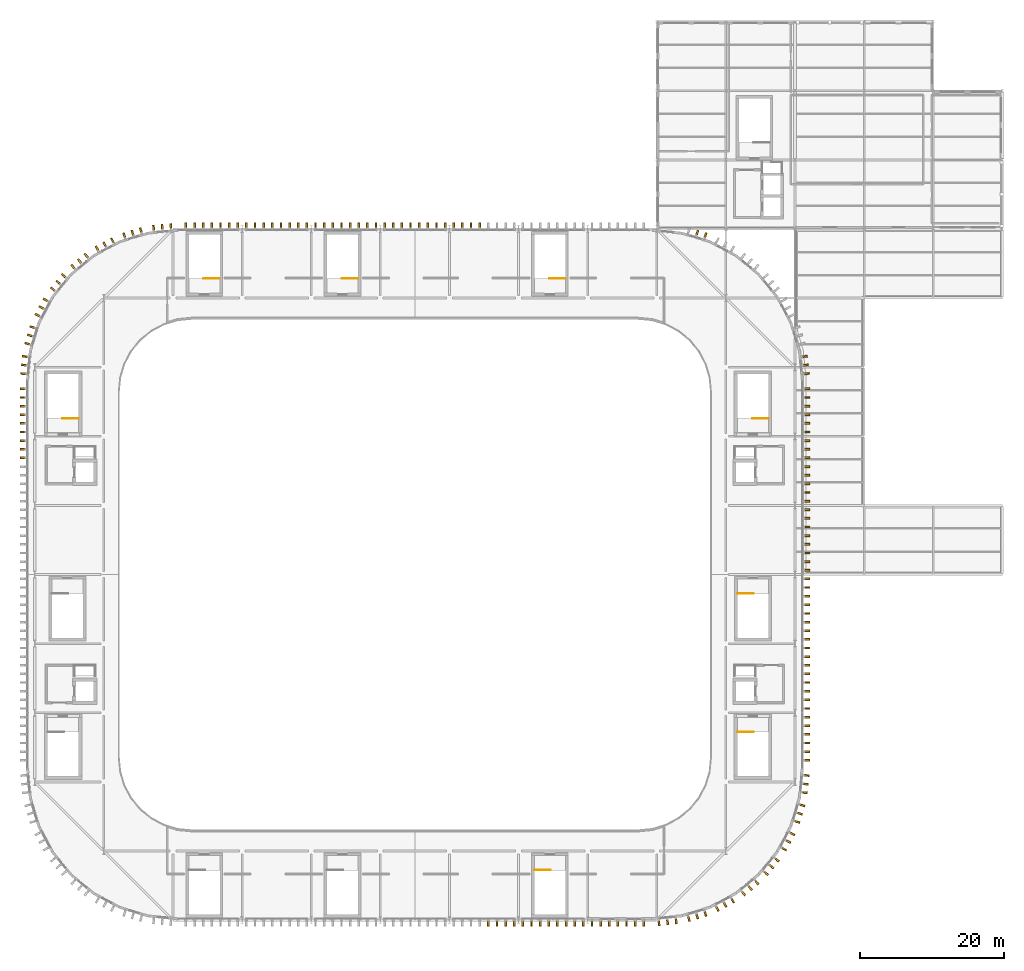
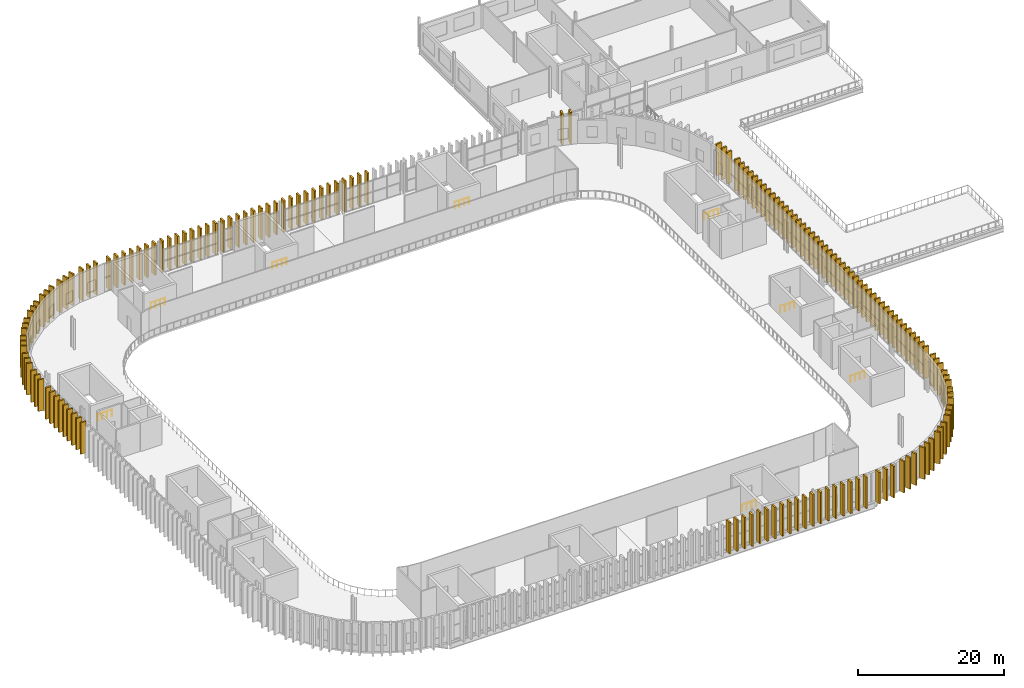
# One storey, part 43 of 45: 160 coverings, 8 railings.
"""IFC4 building model written with IfcOpenShell, lengths in metres."""

from ifc_helpers import new_model, si_unit, direction, frame, origin, origin_2d, place, context, subcontext, project, spatial, rectangle, circle, extrude, material, material_profile, profile_set, type_object, element, save


model = new_model("IFC4")

# Units and contexts
model_context = context("Model", 3, precision=1e-05, world=origin(), true_north=direction((0.0, 1.0)))
body_context = subcontext(model_context, "Body", "Model", "MODEL_VIEW")
ifc_project = project(units=[si_unit("LENGTHUNIT", "METRE"), si_unit("AREAUNIT", "SQUARE_METRE"), si_unit("VOLUMEUNIT", "CUBIC_METRE"), si_unit("PLANEANGLEUNIT", "RADIAN"), si_unit("MASSUNIT", "GRAM", prefix="KILO")], contexts=[model_context])

# Site, building, storey
site_placement = place(None, origin())
site = spatial("IfcSite", under=ifc_project, at=site_placement, CompositionType="ELEMENT")
building_placement = place(site_placement, origin())
building = spatial("IfcBuilding", under=site, at=building_placement, Name="Caelomonte Colonnade Arena", CompositionType="ELEMENT")
storey_placement = place(building_placement, frame((0.0, 0.0, 23.10009765625)))
storey = spatial("IfcBuildingStorey", under=building, at=storey_placement, Name="L05", CompositionType="ELEMENT", Elevation=23.10009765625)

# Coverings
ifc_material_1 = material(Name="Precast travertine cladding", Category="masonry")
ifc_material_profile = material_profile(ifc_material_1, rectangle(XDim=0.260009765625, YDim=0.85009765625, at=origin_2d()), Name="FIN260X850")
ifc_profile_set = profile_set([ifc_material_profile], Name="Precast travertine cladding")
covering_type = type_object("IfcCoveringType", Name="ENV-FN-SHAFT", PredefinedType="CLADDING", material=ifc_profile_set)
for number, where, z_axis, x_axis, name in (
    (1, (144.29541015625, 18.865234375, -0.16015625), (0.0, 0.0, 1.0), (-0.995184897743, -0.098015403404, 0.0), "V1 L05 classical travertine vertical fin 1"),
    (2, (145.48974609375, 18.98291015625, -0.16015625), (0.0, 0.0, 1.0), (-0.995184897743, -0.098015403404, 0.0), "V1 L05 classical travertine vertical fin 2"),
    (3, (146.683837890625, 19.100341796875, -0.16015625), (0.0, 0.0, 1.0), (-0.995184897743, -0.098015403404, 0.0), "V1 L05 classical travertine vertical fin 3"),
    (4, (148.4404296875, 19.44970703125, -0.16015625), (0.0, 0.0, 1.0), (-0.956942868907, -0.290276326364, 0.0), "V1 L05 classical travertine vertical fin 4"),
    (5, (149.5888671875, 19.798095703125, -0.16015625), (0.0, 0.0, 1.0), (-0.956942868907, -0.290276326364, 0.0), "V1 L05 classical travertine vertical fin 5"),
    (6, (150.7373046875, 20.146484375, -0.16015625), (0.0, 0.0, 1.0), (-0.956942868907, -0.290276326364, 0.0), "V1 L05 classical travertine vertical fin 6"),
    (7, (152.391845703125, 20.831787109375, -0.16015625), (0.0, 0.0, 1.0), (-0.881921264348, -0.471396736826, 0.0), "V1 L05 classical travertine vertical fin 7"),
    (8, (153.4501953125, 21.3974609375, -0.16015625), (0.0, 0.0, 1.0), (-0.881921264348, -0.471396736826, 0.0), "V1 L05 classical travertine vertical fin 8"),
    (9, (154.508544921875, 21.963134765625, -0.16015625), (0.0, 0.0, 1.0), (-0.881921264348, -0.471396736826, 0.0), "V1 L05 classical travertine vertical fin 9"),
    (10, (155.99755859375, 22.958251953125, -0.16015625), (0.0, 0.0, 1.0), (-0.77299384472, -0.634413521313, 0.0), "V1 L05 classical travertine vertical fin 10"),
    (11, (156.92529296875, 23.719482421875, -0.16015625), (0.0, 0.0, 1.0), (-0.77299384472, -0.634413521313, 0.0), "V1 L05 classical travertine vertical fin 11"),
    (12, (157.852783203125, 24.480712890625, -0.16015625), (0.0, 0.0, 1.0), (-0.77299384472, -0.634413521313, 0.0), "V1 L05 classical travertine vertical fin 12"),
    (13, (159.119140625, 25.747314453125, -0.16015625), (0.0, 0.0, 1.0), (-0.634413521313, -0.77299384472, 0.0), "V1 L05 classical travertine vertical fin 13"),
    (14, (159.880615234375, 26.6748046875, -0.16015625), (0.0, 0.0, 1.0), (-0.634413521313, -0.77299384472, 0.0), "V1 L05 classical travertine vertical fin 14"),
    (15, (160.641845703125, 27.602294921875, -0.16015625), (0.0, 0.0, 1.0), (-0.634413521313, -0.77299384472, 0.0), "V1 L05 classical travertine vertical fin 15"),
    (16, (161.63671875, 29.091552734375, -0.16015625), (0.0, 0.0, 1.0), (-0.471396736826, -0.881921264348, 0.0), "V1 L05 classical travertine vertical fin 16"),
    (17, (162.202392578125, 30.14990234375, -0.16015625), (0.0, 0.0, 1.0), (-0.471396736826, -0.881921264348, 0.0), "V1 L05 classical travertine vertical fin 17"),
    (18, (162.768310546875, 31.2080078125, -0.16015625), (0.0, 0.0, 1.0), (-0.471396736826, -0.881921264348, 0.0), "V1 L05 classical travertine vertical fin 18"),
    (19, (163.45361328125, 32.86279296875, -0.16015625), (0.0, 0.0, 1.0), (-0.290276326364, -0.956942868907, 0.0), "V1 L05 classical travertine vertical fin 19"),
    (20, (163.802001953125, 34.010986328125, -0.16015625), (0.0, 0.0, 1.0), (-0.290276326364, -0.956942868907, 0.0), "V1 L05 classical travertine vertical fin 20"),
    (21, (164.150146484375, 35.159423828125, -0.16015625), (0.0, 0.0, 1.0), (-0.290276326364, -0.956942868907, 0.0), "V1 L05 classical travertine vertical fin 21"),
    (22, (164.49951171875, 36.916015625, -0.16015625), (0.0, 0.0, 1.0), (-0.098015403404, -0.995184897743, 0.0), "V1 L05 classical travertine vertical fin 22"),
    (23, (164.6171875, 38.1103515625, -0.16015625), (0.0, 0.0, 1.0), (-0.098015403404, -0.995184897743, 0.0), "V1 L05 classical travertine vertical fin 23"),
    (24, (164.73486328125, 39.304443359375, -0.16015625), (0.0, 0.0, 1.0), (-0.098015403404, -0.995184897743, 0.0), "V1 L05 classical travertine vertical fin 24"),
    (25, (164.821044921875, 41.39990234375, -0.16015625), (0.0, 0.0, 1.0), (0.0, -1.0, 0.0), "V1 L05 classical travertine vertical fin 25"),
    (26, (164.821044921875, 42.60009765625, -0.16015625), (0.0, 0.0, 1.0), (0.0, -1.0, 0.0), "V1 L05 classical travertine vertical fin 26"),
    (27, (164.821044921875, 43.800048828125, -0.16015625), (0.0, 0.0, 1.0), (0.0, -1.0, 0.0), "V1 L05 classical travertine vertical fin 27"),
    (28, (164.821044921875, 45.0, -0.16015625), (0.0, 0.0, 1.0), (0.0, -1.0, 0.0), "V1 L05 classical travertine vertical fin 28"),
    (29, (164.821044921875, 46.199951171875, -0.16015625), (0.0, 0.0, 1.0), (0.0, -1.0, 0.0), "V1 L05 classical travertine vertical fin 29"),
    (30, (164.821044921875, 47.39990234375, -0.16015625), (0.0, 0.0, 1.0), (0.0, -1.0, 0.0), "V1 L05 classical travertine vertical fin 30"),
    (31, (164.821044921875, 48.60009765625, -0.16015625), (0.0, 0.0, 1.0), (0.0, -1.0, 0.0), "V1 L05 classical travertine vertical fin 31"),
    (32, (164.821044921875, 49.800048828125, -0.16015625), (0.0, 0.0, 1.0), (0.0, -1.0, 0.0), "V1 L05 classical travertine vertical fin 32"),
    (33, (164.821044921875, 51.0, -0.16015625), (0.0, 0.0, 1.0), (0.0, -1.0, 0.0), "V1 L05 classical travertine vertical fin 33"),
    (34, (164.821044921875, 52.199951171875, -0.16015625), (0.0, 0.0, 1.0), (0.0, -1.0, 0.0), "V1 L05 classical travertine vertical fin 34"),
    (35, (164.821044921875, 53.39990234375, -0.16015625), (0.0, 0.0, 1.0), (0.0, -1.0, 0.0), "V1 L05 classical travertine vertical fin 35"),
    (36, (164.821044921875, 54.60009765625, -0.16015625), (0.0, 0.0, 1.0), (0.0, -1.0, 0.0), "V1 L05 classical travertine vertical fin 36"),
    (37, (164.821044921875, 55.800048828125, -0.16015625), (0.0, 0.0, 1.0), (0.0, -1.0, 0.0), "V1 L05 classical travertine vertical fin 37"),
    (38, (164.821044921875, 57.0, -0.16015625), (0.0, 0.0, 1.0), (0.0, -1.0, 0.0), "V1 L05 classical travertine vertical fin 38"),
    (39, (164.821044921875, 58.199951171875, -0.16015625), (0.0, 0.0, 1.0), (0.0, -1.0, 0.0), "V1 L05 classical travertine vertical fin 39"),
    (40, (164.821044921875, 59.39990234375, -0.16015625), (0.0, 0.0, 1.0), (0.0, -1.0, 0.0), "V1 L05 classical travertine vertical fin 40"),
    (41, (164.821044921875, 60.60009765625, -0.16015625), (0.0, 0.0, 1.0), (0.0, -1.0, 0.0), "V1 L05 classical travertine vertical fin 41"),
    (42, (164.821044921875, 61.800048828125, -0.16015625), (0.0, 0.0, 1.0), (0.0, -1.0, 0.0), "V1 L05 classical travertine vertical fin 42"),
    (43, (164.821044921875, 63.0, -0.16015625), (0.0, 0.0, 1.0), (0.0, -1.0, 0.0), "V1 L05 classical travertine vertical fin 43"),
    (44, (164.821044921875, 64.199951171875, -0.16015625), (0.0, 0.0, 1.0), (0.0, -1.0, 0.0), "V1 L05 classical travertine vertical fin 44"),
    (45, (164.821044921875, 65.39990234375, -0.16015625), (0.0, 0.0, 1.0), (0.0, -1.0, 0.0), "V1 L05 classical travertine vertical fin 45"),
    (46, (164.821044921875, 66.60009765625, -0.16015625), (0.0, 0.0, 1.0), (0.0, -1.0, 0.0), "V1 L05 classical travertine vertical fin 46"),
    (47, (164.821044921875, 67.800048828125, -0.16015625), (0.0, 0.0, 1.0), (0.0, -1.0, 0.0), "V1 L05 classical travertine vertical fin 47"),
    (48, (164.821044921875, 69.0, -0.16015625), (0.0, 0.0, 1.0), (0.0, -1.0, 0.0), "V1 L05 classical travertine vertical fin 48"),
    (49, (164.821044921875, 70.199951171875, -0.16015625), (0.0, 0.0, 1.0), (0.0, -1.0, 0.0), "V1 L05 classical travertine vertical fin 49"),
    (50, (164.821044921875, 71.39990234375, -0.16015625), (0.0, 0.0, 1.0), (0.0, -1.0, 0.0), "V1 L05 classical travertine vertical fin 50"),
    (51, (164.821044921875, 72.60009765625, -0.16015625), (0.0, 0.0, 1.0), (0.0, -1.0, 0.0), "V1 L05 classical travertine vertical fin 51"),
    (52, (164.821044921875, 73.800048828125, -0.16015625), (0.0, 0.0, 1.0), (0.0, -1.0, 0.0), "V1 L05 classical travertine vertical fin 52"),
    (53, (164.821044921875, 75.0, -0.16015625), (0.0, 0.0, 1.0), (0.0, -1.0, 0.0), "V1 L05 classical travertine vertical fin 53"),
    (54, (164.821044921875, 76.199951171875, -0.16015625), (0.0, 0.0, 1.0), (0.0, -1.0, 0.0), "V1 L05 classical travertine vertical fin 54"),
    (55, (164.821044921875, 77.39990234375, -0.16015625), (0.0, 0.0, 1.0), (0.0, -1.0, 0.0), "V1 L05 classical travertine vertical fin 55"),
    (56, (164.821044921875, 78.60009765625, -0.16015625), (0.0, 0.0, 1.0), (0.0, -1.0, 0.0), "V1 L05 classical travertine vertical fin 56"),
    (57, (164.821044921875, 79.800048828125, -0.16015625), (0.0, 0.0, 1.0), (0.0, -1.0, 0.0), "V1 L05 classical travertine vertical fin 57"),
    (58, (164.821044921875, 81.0, -0.16015625), (0.0, 0.0, 1.0), (0.0, -1.0, 0.0), "V1 L05 classical travertine vertical fin 58"),
    (59, (164.821044921875, 82.199951171875, -0.16015625), (0.0, 0.0, 1.0), (0.0, -1.0, 0.0), "V1 L05 classical travertine vertical fin 59"),
    (60, (164.821044921875, 83.39990234375, -0.16015625), (0.0, 0.0, 1.0), (0.0, -1.0, 0.0), "V1 L05 classical travertine vertical fin 60"),
    (61, (164.821044921875, 84.60009765625, -0.16015625), (0.0, 0.0, 1.0), (0.0, -1.0, 0.0), "V1 L05 classical travertine vertical fin 61"),
    (62, (164.821044921875, 85.800048828125, -0.16015625), (0.0, 0.0, 1.0), (0.0, -1.0, 0.0), "V1 L05 classical travertine vertical fin 62"),
    (63, (164.821044921875, 87.0, -0.16015625), (0.0, 0.0, 1.0), (0.0, -1.0, 0.0), "V1 L05 classical travertine vertical fin 63"),
    (64, (164.821044921875, 88.199951171875, -0.16015625), (0.0, 0.0, 1.0), (0.0, -1.0, 0.0), "V1 L05 classical travertine vertical fin 64"),
    (65, (164.821044921875, 89.39990234375, -0.16015625), (0.0, 0.0, 1.0), (0.0, -1.0, 0.0), "V1 L05 classical travertine vertical fin 65"),
    (66, (164.821044921875, 90.60009765625, -0.16015625), (0.0, 0.0, 1.0), (0.0, -1.0, 0.0), "V1 L05 classical travertine vertical fin 66"),
    (67, (164.821044921875, 91.800048828125, -0.16015625), (0.0, 0.0, 1.0), (0.0, -1.0, 0.0), "V1 L05 classical travertine vertical fin 67"),
    (68, (164.821044921875, 93.0, -0.16015625), (0.0, 0.0, 1.0), (0.0, -1.0, 0.0), "V1 L05 classical travertine vertical fin 68"),
    (69, (164.73486328125, 95.095458984375, -0.16015625), (0.0, 0.0, 1.0), (0.098015403404, -0.995184897743, 0.0), "V1 L05 classical travertine vertical fin 69"),
    (70, (164.6171875, 96.289794921875, -0.16015625), (0.0, 0.0, 1.0), (0.098015403404, -0.995184897743, 0.0), "V1 L05 classical travertine vertical fin 70"),
    (71, (164.49951171875, 97.48388671875, -0.16015625), (0.0, 0.0, 1.0), (0.098015403404, -0.995184897743, 0.0), "V1 L05 classical travertine vertical fin 71"),
    (72, (150.7373046875, 114.25341796875, -0.16015625), (0.0, 0.0, 1.0), (0.956942868907, -0.290276326364, 0.0), "V1 L05 classical travertine vertical fin 87"),
    (73, (149.5888671875, 114.601806640625, -0.16015625), (0.0, 0.0, 1.0), (0.956942868907, -0.290276326364, 0.0), "V1 L05 classical travertine vertical fin 88"),
    (74, (119.39990234375, 115.62109375, -0.16015625), (0.0, 0.0, 1.0), (1.0, 0.0, 0.0), "V1 L05 classical travertine vertical fin 112"),
    (75, (118.199951171875, 115.62109375, -0.16015625), (0.0, 0.0, 1.0), (1.0, 0.0, 0.0), "V1 L05 classical travertine vertical fin 113"),
    (76, (117.0, 115.62109375, -0.16015625), (0.0, 0.0, 1.0), (1.0, 0.0, 0.0), "V1 L05 classical travertine vertical fin 114"),
    (77, (115.800048828125, 115.62109375, -0.16015625), (0.0, 0.0, 1.0), (1.0, 0.0, 0.0), "V1 L05 classical travertine vertical fin 115"),
    (78, (114.60009765625, 115.62109375, -0.16015625), (0.0, 0.0, 1.0), (1.0, 0.0, 0.0), "V1 L05 classical travertine vertical fin 116"),
    (79, (113.39990234375, 115.62109375, -0.16015625), (0.0, 0.0, 1.0), (1.0, 0.0, 0.0), "V1 L05 classical travertine vertical fin 117"),
    (80, (112.199951171875, 115.62109375, -0.16015625), (0.0, 0.0, 1.0), (1.0, 0.0, 0.0), "V1 L05 classical travertine vertical fin 118"),
    (81, (111.0, 115.62109375, -0.16015625), (0.0, 0.0, 1.0), (1.0, 0.0, 0.0), "V1 L05 classical travertine vertical fin 119"),
    (82, (109.800048828125, 115.62109375, -0.16015625), (0.0, 0.0, 1.0), (1.0, 0.0, 0.0), "V1 L05 classical travertine vertical fin 120"),
    (83, (108.60009765625, 115.62109375, -0.16015625), (0.0, 0.0, 1.0), (1.0, 0.0, 0.0), "V1 L05 classical travertine vertical fin 121"),
    (84, (107.39990234375, 115.62109375, -0.16015625), (0.0, 0.0, 1.0), (1.0, 0.0, 0.0), "V1 L05 classical travertine vertical fin 122"),
    (85, (106.199951171875, 115.62109375, -0.16015625), (0.0, 0.0, 1.0), (1.0, 0.0, 0.0), "V1 L05 classical travertine vertical fin 123"),
    (86, (105.0, 115.62109375, -0.16015625), (0.0, 0.0, 1.0), (1.0, 0.0, 0.0), "V1 L05 classical travertine vertical fin 124"),
    (87, (103.800048828125, 115.62109375, -0.16015625), (0.0, 0.0, 1.0), (1.0, 0.0, 0.0), "V1 L05 classical travertine vertical fin 125"),
    (88, (102.60009765625, 115.62109375, -0.16015625), (0.0, 0.0, 1.0), (1.0, 0.0, 0.0), "V1 L05 classical travertine vertical fin 126"),
    (89, (101.39990234375, 115.62109375, -0.16015625), (0.0, 0.0, 1.0), (1.0, 0.0, 0.0), "V1 L05 classical travertine vertical fin 127"),
    (90, (100.199951171875, 115.62109375, -0.16015625), (0.0, 0.0, 1.0), (1.0, 0.0, 0.0), "V1 L05 classical travertine vertical fin 128"),
    (91, (99.0, 115.62109375, -0.16015625), (0.0, 0.0, 1.0), (1.0, 0.0, 0.0), "V1 L05 classical travertine vertical fin 129"),
    (92, (97.800048828125, 115.62109375, -0.16015625), (0.0, 0.0, 1.0), (1.0, 0.0, 0.0), "V1 L05 classical travertine vertical fin 130"),
    (93, (96.60009765625, 115.62109375, -0.16015625), (0.0, 0.0, 1.0), (1.0, 0.0, 0.0), "V1 L05 classical travertine vertical fin 131"),
    (94, (95.39990234375, 115.62109375, -0.16015625), (0.0, 0.0, 1.0), (1.0, 0.0, 0.0), "V1 L05 classical travertine vertical fin 132"),
    (95, (94.199951171875, 115.62109375, -0.16015625), (0.0, 0.0, 1.0), (1.0, 0.0, 0.0), "V1 L05 classical travertine vertical fin 133"),
    (96, (93.0, 115.62109375, -0.16015625), (0.0, 0.0, 1.0), (1.0, 0.0, 0.0), "V1 L05 classical travertine vertical fin 134"),
    (97, (91.800048828125, 115.62109375, -0.16015625), (0.0, 0.0, 1.0), (1.0, 0.0, 0.0), "V1 L05 classical travertine vertical fin 135"),
    (98, (90.60009765625, 115.62109375, -0.16015625), (0.0, 0.0, 1.0), (1.0, 0.0, 0.0), "V1 L05 classical travertine vertical fin 136"),
    (99, (89.39990234375, 115.62109375, -0.16015625), (0.0, 0.0, 1.0), (1.0, 0.0, 0.0), "V1 L05 classical travertine vertical fin 137"),
    (100, (88.199951171875, 115.62109375, -0.16015625), (0.0, 0.0, 1.0), (1.0, 0.0, 0.0), "V1 L05 classical travertine vertical fin 138"),
    (101, (87.0, 115.62109375, -0.16015625), (0.0, 0.0, 1.0), (1.0, 0.0, 0.0), "V1 L05 classical travertine vertical fin 139"),
    (102, (85.800048828125, 115.62109375, -0.16015625), (0.0, 0.0, 1.0), (1.0, 0.0, 0.0), "V1 L05 classical travertine vertical fin 140"),
    (103, (84.60009765625, 115.62109375, -0.16015625), (0.0, 0.0, 1.0), (1.0, 0.0, 0.0), "V1 L05 classical travertine vertical fin 141"),
    (104, (83.39990234375, 115.62109375, -0.16015625), (0.0, 0.0, 1.0), (1.0, 0.0, 0.0), "V1 L05 classical travertine vertical fin 142"),
    (105, (82.199951171875, 115.62109375, -0.16015625), (0.0, 0.0, 1.0), (1.0, 0.0, 0.0), "V1 L05 classical travertine vertical fin 143"),
    (106, (81.0, 115.62109375, -0.16015625), (0.0, 0.0, 1.0), (1.0, 0.0, 0.0), "V1 L05 classical travertine vertical fin 144"),
    (107, (79.800048828125, 115.62109375, -0.16015625), (0.0, 0.0, 1.0), (1.0, 0.0, 0.0), "V1 L05 classical travertine vertical fin 145"),
    (108, (78.60009765625, 115.62109375, -0.16015625), (0.0, 0.0, 1.0), (1.0, 0.0, 0.0), "V1 L05 classical travertine vertical fin 146"),
    (109, (76.50439453125, 115.534912109375, -0.16015625), (0.0, 0.0, 1.0), (0.995184897743, 0.098015403404, 0.0), "V1 L05 classical travertine vertical fin 147"),
    (110, (75.310302734375, 115.417236328125, -0.16015625), (0.0, 0.0, 1.0), (0.995184897743, 0.098015403404, 0.0), "V1 L05 classical travertine vertical fin 148"),
    (111, (74.1162109375, 115.299560546875, -0.16015625), (0.0, 0.0, 1.0), (0.995184897743, 0.098015403404, 0.0), "V1 L05 classical travertine vertical fin 149"),
    (112, (72.359619140625, 114.9501953125, -0.16015625), (0.0, 0.0, 1.0), (0.956942868907, 0.290276326364, 0.0), "V1 L05 classical travertine vertical fin 150"),
    (113, (71.211181640625, 114.601806640625, -0.16015625), (0.0, 0.0, 1.0), (0.956942868907, 0.290276326364, 0.0), "V1 L05 classical travertine vertical fin 151"),
    (114, (70.062744140625, 114.25341796875, -0.16015625), (0.0, 0.0, 1.0), (0.956942868907, 0.290276326364, 0.0), "V1 L05 classical travertine vertical fin 152"),
    (115, (68.408203125, 113.568115234375, -0.16015625), (0.0, 0.0, 1.0), (0.881921264348, 0.471396736826, 0.0), "V1 L05 classical travertine vertical fin 153"),
    (116, (67.349853515625, 113.00244140625, -0.16015625), (0.0, 0.0, 1.0), (0.881921264348, 0.471396736826, 0.0), "V1 L05 classical travertine vertical fin 154"),
    (117, (66.29150390625, 112.436767578125, -0.16015625), (0.0, 0.0, 1.0), (0.881921264348, 0.471396736826, 0.0), "V1 L05 classical travertine vertical fin 155"),
    (118, (64.802490234375, 111.44189453125, -0.16015625), (0.0, 0.0, 1.0), (0.77299384472, 0.634413521313, 0.0), "V1 L05 classical travertine vertical fin 156"),
    (119, (63.874755859375, 110.680419921875, -0.16015625), (0.0, 0.0, 1.0), (0.77299384472, 0.634413521313, 0.0), "V1 L05 classical travertine vertical fin 157"),
    (120, (62.947265625, 109.919189453125, -0.16015625), (0.0, 0.0, 1.0), (0.77299384472, 0.634413521313, 0.0), "V1 L05 classical travertine vertical fin 158"),
    (121, (61.680908203125, 108.65283203125, -0.16015625), (0.0, 0.0, 1.0), (0.634413521313, 0.77299384472, 0.0), "V1 L05 classical travertine vertical fin 159"),
    (122, (60.91943359375, 107.72509765625, -0.16015625), (0.0, 0.0, 1.0), (0.634413521313, 0.77299384472, 0.0), "V1 L05 classical travertine vertical fin 160"),
    (123, (60.158203125, 106.797607421875, -0.16015625), (0.0, 0.0, 1.0), (0.634413521313, 0.77299384472, 0.0), "V1 L05 classical travertine vertical fin 161"),
    (124, (59.1630859375, 105.30859375, -0.16015625), (0.0, 0.0, 1.0), (0.471396736826, 0.881921264348, 0.0), "V1 L05 classical travertine vertical fin 162"),
    (125, (58.597412109375, 104.250244140625, -0.16015625), (0.0, 0.0, 1.0), (0.471396736826, 0.881921264348, 0.0), "V1 L05 classical travertine vertical fin 163"),
    (126, (58.03173828125, 103.19189453125, -0.16015625), (0.0, 0.0, 1.0), (0.471396736826, 0.881921264348, 0.0), "V1 L05 classical travertine vertical fin 164"),
    (127, (57.346435546875, 101.537109375, -0.16015625), (0.0, 0.0, 1.0), (0.290276326364, 0.956942868907, 0.0), "V1 L05 classical travertine vertical fin 165"),
    (128, (56.998046875, 100.388916015625, -0.16015625), (0.0, 0.0, 1.0), (0.290276326364, 0.956942868907, 0.0), "V1 L05 classical travertine vertical fin 166"),
    (129, (56.64990234375, 99.240478515625, -0.16015625), (0.0, 0.0, 1.0), (0.290276326364, 0.956942868907, 0.0), "V1 L05 classical travertine vertical fin 167"),
    (130, (56.30029296875, 97.48388671875, -0.16015625), (0.0, 0.0, 1.0), (0.098015403404, 0.995184897743, 0.0), "V1 L05 classical travertine vertical fin 168"),
    (131, (56.182861328125, 96.289794921875, -0.16015625), (0.0, 0.0, 1.0), (0.098015403404, 0.995184897743, 0.0), "V1 L05 classical travertine vertical fin 169"),
    (132, (56.065185546875, 95.095458984375, -0.16015625), (0.0, 0.0, 1.0), (0.098015403404, 0.995184897743, 0.0), "V1 L05 classical travertine vertical fin 170"),
    (133, (55.97900390625, 93.0, -0.16015625), (0.0, 0.0, 1.0), (0.0, 1.0, 0.0), "V1 L05 classical travertine vertical fin 171"),
    (134, (55.97900390625, 91.800048828125, -0.16015625), (0.0, 0.0, 1.0), (0.0, 1.0, 0.0), "V1 L05 classical travertine vertical fin 172"),
    (135, (55.97900390625, 90.60009765625, -0.16015625), (0.0, 0.0, 1.0), (0.0, 1.0, 0.0), "V1 L05 classical travertine vertical fin 173"),
    (136, (55.97900390625, 89.39990234375, -0.16015625), (0.0, 0.0, 1.0), (0.0, 1.0, 0.0), "V1 L05 classical travertine vertical fin 174"),
    (137, (55.97900390625, 88.199951171875, -0.16015625), (0.0, 0.0, 1.0), (0.0, 1.0, 0.0), "V1 L05 classical travertine vertical fin 175"),
    (138, (55.97900390625, 87.0, -0.16015625), (0.0, 0.0, 1.0), (0.0, 1.0, 0.0), "V1 L05 classical travertine vertical fin 176"),
    (139, (55.97900390625, 85.800048828125, -0.16015625), (0.0, 0.0, 1.0), (0.0, 1.0, 0.0), "V1 L05 classical travertine vertical fin 177"),
    (140, (55.97900390625, 84.60009765625, -0.16015625), (0.0, 0.0, 1.0), (0.0, 1.0, 0.0), "V1 L05 classical travertine vertical fin 178"),
    (141, (55.97900390625, 83.39990234375, -0.16015625), (0.0, 0.0, 1.0), (0.0, 1.0, 0.0), "V1 L05 classical travertine vertical fin 179"),
    (142, (120.60009765625, 18.779052734375, -0.16015625), (0.0, 0.0, 1.0), (-1.0, 0.0, 0.0), "V1 L05 classical travertine vertical fin 274"),
    (143, (121.800048828125, 18.779052734375, -0.16015625), (0.0, 0.0, 1.0), (-1.0, 0.0, 0.0), "V1 L05 classical travertine vertical fin 275"),
    (144, (123.0, 18.779052734375, -0.16015625), (0.0, 0.0, 1.0), (-1.0, 0.0, 0.0), "V1 L05 classical travertine vertical fin 276"),
    (145, (124.199951171875, 18.779052734375, -0.16015625), (0.0, 0.0, 1.0), (-1.0, 0.0, 0.0), "V1 L05 classical travertine vertical fin 277"),
    (146, (125.39990234375, 18.779052734375, -0.16015625), (0.0, 0.0, 1.0), (-1.0, 0.0, 0.0), "V1 L05 classical travertine vertical fin 278"),
    (147, (126.60009765625, 18.779052734375, -0.16015625), (0.0, 0.0, 1.0), (-1.0, 0.0, 0.0), "V1 L05 classical travertine vertical fin 279"),
    (148, (127.800048828125, 18.779052734375, -0.16015625), (0.0, 0.0, 1.0), (-1.0, 0.0, 0.0), "V1 L05 classical travertine vertical fin 280"),
    (149, (129.0, 18.779052734375, -0.16015625), (0.0, 0.0, 1.0), (-1.0, 0.0, 0.0), "V1 L05 classical travertine vertical fin 281"),
    (150, (130.199951171875, 18.779052734375, -0.16015625), (0.0, 0.0, 1.0), (-1.0, 0.0, 0.0), "V1 L05 classical travertine vertical fin 282"),
    (151, (131.39990234375, 18.779052734375, -0.16015625), (0.0, 0.0, 1.0), (-1.0, 0.0, 0.0), "V1 L05 classical travertine vertical fin 283"),
    (152, (132.60009765625, 18.779052734375, -0.16015625), (0.0, 0.0, 1.0), (-1.0, 0.0, 0.0), "V1 L05 classical travertine vertical fin 284"),
    (153, (133.800048828125, 18.779052734375, -0.16015625), (0.0, 0.0, 1.0), (-1.0, 0.0, 0.0), "V1 L05 classical travertine vertical fin 285"),
    (154, (135.0, 18.779052734375, -0.16015625), (0.0, 0.0, 1.0), (-1.0, 0.0, 0.0), "V1 L05 classical travertine vertical fin 286"),
    (155, (136.199951171875, 18.779052734375, -0.16015625), (0.0, 0.0, 1.0), (-1.0, 0.0, 0.0), "V1 L05 classical travertine vertical fin 287"),
    (156, (137.39990234375, 18.779052734375, -0.16015625), (0.0, 0.0, 1.0), (-1.0, 0.0, 0.0), "V1 L05 classical travertine vertical fin 288"),
    (157, (138.60009765625, 18.779052734375, -0.16015625), (0.0, 0.0, 1.0), (-1.0, 0.0, 0.0), "V1 L05 classical travertine vertical fin 289"),
    (158, (139.800048828125, 18.779052734375, -0.16015625), (0.0, 0.0, 1.0), (-1.0, 0.0, 0.0), "V1 L05 classical travertine vertical fin 290"),
    (159, (141.0, 18.779052734375, -0.16015625), (0.0, 0.0, 1.0), (-1.0, 0.0, 0.0), "V1 L05 classical travertine vertical fin 291"),
    (160, (142.199951171875, 18.779052734375, -0.16015625), (0.0, 0.0, 1.0), (-1.0, 0.0, 0.0), "V1 L05 classical travertine vertical fin 292"),
):
    element("IfcCovering", number, at=place(storey_placement, frame(where, z_axis=z_axis, x_axis=x_axis)), inside=storey, type_object=covering_type, Name=name, PredefinedType="CLADDING", context=body_context, shape_type="SweptSolid", body=[
        extrude(rectangle(XDim=0.260009765625, YDim=0.85009765625, at=origin_2d()), origin(), (0.0, 0.0, 1.0), 5.260009765625),
    ])

# Railings
ifc_material_2 = material(Name="Painted galvanized steel stair guard", Category="steel")
railing_type = type_object("IfcRailingType", Name="INT-RL-GRD", PredefinedType="GUARDRAIL", material=ifc_material_2)
railing_1_placement = place(storey_placement, frame((63.699951171875, 88.89990234375, 0.0)))
element("IfcRailing", 161, at=railing_1_placement, inside=storey, type_object=railing_type, Name="L05 ST-04 top well guard 1", PredefinedType="GUARDRAIL", context=body_context, shape_type="SweptSolid", body=[
    extrude(circle(Radius=0.02392578125, at=origin_2d()), frame((0.0, 0.0, 1.076171875), z_axis=(-1.0, 0.0, 0.0), x_axis=(0.0, -1.0, 0.0)), (0.0, 0.0, 1.0), 2.25),
    extrude(circle(Radius=0.02099609375, at=origin_2d()), origin(), (0.0, 0.0, 1.0), 1.048095703125),
    extrude(circle(Radius=0.02099609375, at=origin_2d()), frame((-0.75, 0.0, 0.0)), (0.0, 0.0, 1.0), 1.048095703125),
    extrude(circle(Radius=0.02099609375, at=origin_2d()), frame((-1.5, 0.0, 0.0)), (0.0, 0.0, 1.0), 1.048095703125),
    extrude(circle(Radius=0.02099609375, at=origin_2d()), frame((-2.25, 0.0, 0.0)), (0.0, 0.0, 1.0), 1.048095703125),
])
railing_2_placement = place(storey_placement, frame((155.199951171875, 45.35009765625, 0.0)))
element("IfcRailing", 162, at=railing_2_placement, inside=storey, type_object=railing_type, Name="L05 ST-02 top well guard 1", PredefinedType="GUARDRAIL", context=body_context, shape_type="SweptSolid", body=[
    extrude(circle(Radius=0.02392578125, at=origin_2d()), frame((0.0, 0.0, 1.076171875), z_axis=(1.0, 0.0, 0.0), x_axis=(0.0, 1.0, 0.0)), (0.0, 0.0, 1.0), 2.25),
    extrude(circle(Radius=0.02099609375, at=origin_2d()), origin(), (0.0, 0.0, 1.0), 1.048095703125),
    extrude(circle(Radius=0.02099609375, at=origin_2d()), frame((0.75, 0.0, 0.0)), (0.0, 0.0, 1.0), 1.048095703125),
    extrude(circle(Radius=0.02099609375, at=origin_2d()), frame((1.5, 0.0, 0.0)), (0.0, 0.0, 1.0), 1.048095703125),
    extrude(circle(Radius=0.02099609375, at=origin_2d()), frame((2.25, 0.0, 0.0)), (0.0, 0.0, 1.0), 1.048095703125),
])
railing_3_placement = place(storey_placement, frame((159.5, 88.89990234375, 0.0)))
element("IfcRailing", 163, at=railing_3_placement, inside=storey, type_object=railing_type, Name="L05 ST-03 top well guard 1", PredefinedType="GUARDRAIL", context=body_context, shape_type="SweptSolid", body=[
    extrude(circle(Radius=0.02392578125, at=origin_2d()), frame((0.0, 0.0, 1.076171875), z_axis=(-1.0, 0.0, 0.0), x_axis=(0.0, -1.0, 0.0)), (0.0, 0.0, 1.0), 2.25),
    extrude(circle(Radius=0.02099609375, at=origin_2d()), origin(), (0.0, 0.0, 1.0), 1.048095703125),
    extrude(circle(Radius=0.02099609375, at=origin_2d()), frame((-0.75, 0.0, 0.0)), (0.0, 0.0, 1.0), 1.048095703125),
    extrude(circle(Radius=0.02099609375, at=origin_2d()), frame((-1.5, 0.0, 0.0)), (0.0, 0.0, 1.0), 1.048095703125),
    extrude(circle(Radius=0.02099609375, at=origin_2d()), frame((-2.25, 0.0, 0.0)), (0.0, 0.0, 1.0), 1.048095703125),
])
for number, where, name in (
    (164, (155.199951171875, 64.550048828125, 0.0), "L05 ST-10 top well guard 1"),
    (165, (127.0, 26.14990234375, 0.0), "L05 ST-13 top well guard 1"),
):
    element("IfcRailing", number, at=place(storey_placement, frame(where)), inside=storey, type_object=railing_type, Name=name, PredefinedType="GUARDRAIL", context=body_context, shape_type="SweptSolid", body=[
        extrude(circle(Radius=0.02392578125, at=origin_2d()), frame((0.0, 0.0, 1.076171875), z_axis=(1.0, 0.0, 0.0), x_axis=(0.0, 1.0, 0.0)), (0.0, 0.0, 1.0), 2.25),
        extrude(circle(Radius=0.02099609375, at=origin_2d()), origin(), (0.0, 0.0, 1.0), 1.048095703125),
        extrude(circle(Radius=0.02099609375, at=origin_2d()), frame((0.75, 0.0, 0.0)), (0.0, 0.0, 1.0), 1.048095703125),
        extrude(circle(Radius=0.02099609375, at=origin_2d()), frame((1.5, 0.0, 0.0)), (0.0, 0.0, 1.0), 1.048095703125),
        extrude(circle(Radius=0.02099609375, at=origin_2d()), frame((2.25, 0.0, 0.0)), (0.0, 0.0, 1.0), 1.048095703125),
    ])
for number, where, name in (
    (166, (83.300048828125, 108.300048828125, 0.0), "L05 ST-14 top well guard 1"),
    (167, (102.5, 108.300048828125, 0.0), "L05 ST-15 top well guard 1"),
    (168, (131.300048828125, 108.300048828125, 0.0), "L05 ST-16 top well guard 1"),
):
    element("IfcRailing", number, at=place(storey_placement, frame(where)), inside=storey, type_object=railing_type, Name=name, PredefinedType="GUARDRAIL", context=body_context, shape_type="SweptSolid", body=[
        extrude(circle(Radius=0.02392578125, at=origin_2d()), frame((0.0, 0.0, 1.076171875), z_axis=(-1.0, 0.0, 0.0), x_axis=(0.0, -1.0, 0.0)), (0.0, 0.0, 1.0), 2.25),
        extrude(circle(Radius=0.02099609375, at=origin_2d()), origin(), (0.0, 0.0, 1.0), 1.048095703125),
        extrude(circle(Radius=0.02099609375, at=origin_2d()), frame((-0.75, 0.0, 0.0)), (0.0, 0.0, 1.0), 1.048095703125),
        extrude(circle(Radius=0.02099609375, at=origin_2d()), frame((-1.5, 0.0, 0.0)), (0.0, 0.0, 1.0), 1.048095703125),
        extrude(circle(Radius=0.02099609375, at=origin_2d()), frame((-2.25, 0.0, 0.0)), (0.0, 0.0, 1.0), 1.048095703125),
    ])

save(model, "model.ifc")
